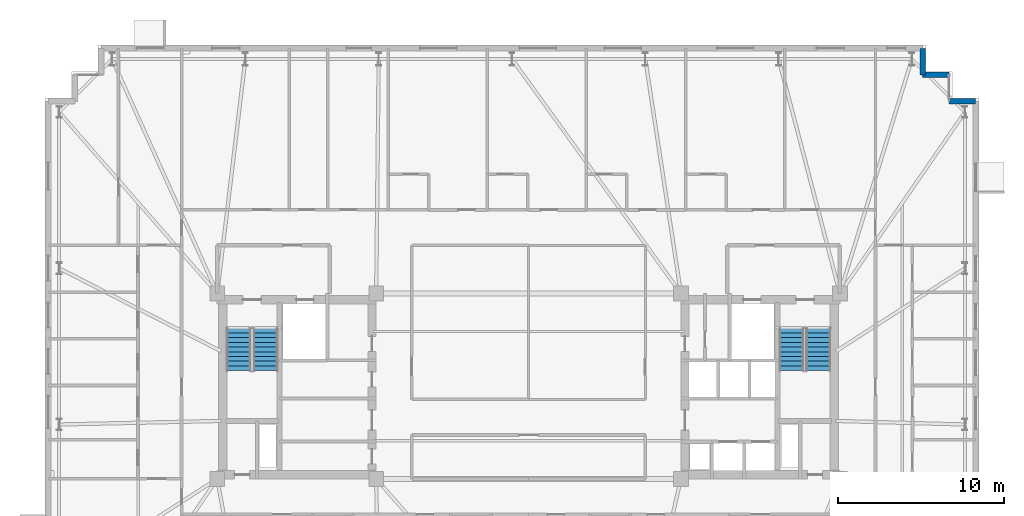
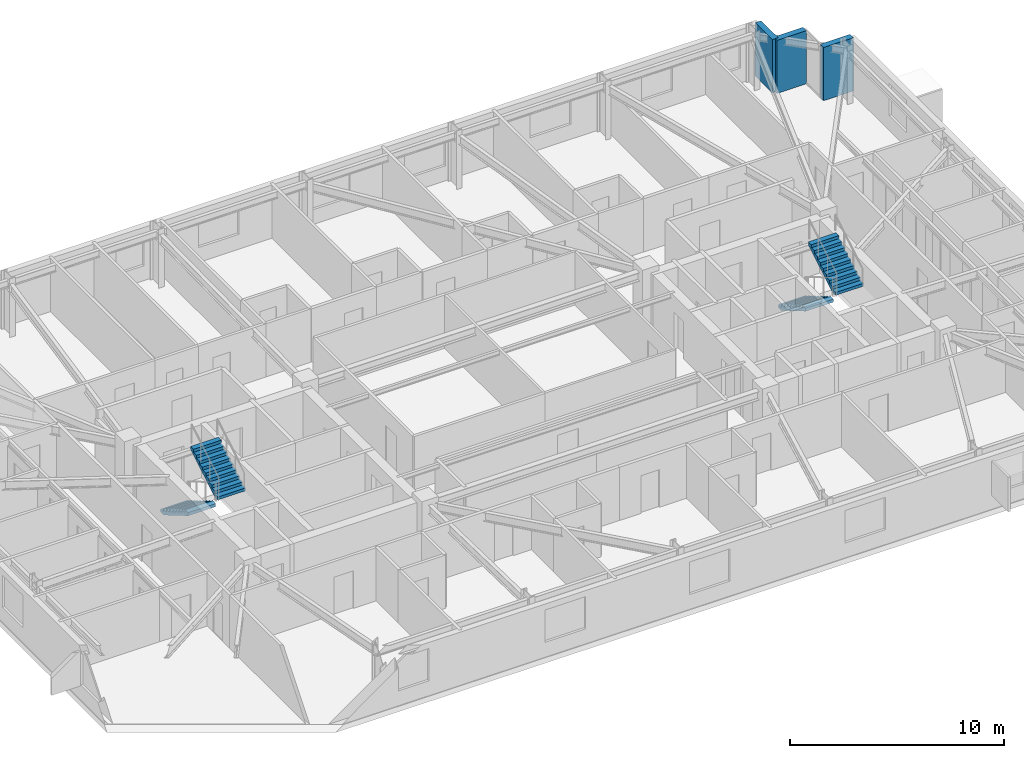
# One storey, part 16 of 19: 4 stair flights, 3 walls, 2 elements without a shape of their own.
"""IFC4 building model written with IfcOpenShell, lengths in metres."""

from ifc_helpers import new_model, si_unit, direction, frame, frame_2d, origin, place, context, subcontext, project, spatial, polyline, rectangle, outline, extrude, material, layer, layer_set, type_object, element, aggregate, save


model = new_model("IFC4")

# Units and contexts
model_context = context("Model", 3, precision=1e-05, world=origin(), true_north=direction((0.0, 1.0)))
body_context = subcontext(model_context, "Body", "Model", "MODEL_VIEW")
ifc_project = project(units=[si_unit("LENGTHUNIT", "METRE"), si_unit("AREAUNIT", "SQUARE_METRE"), si_unit("VOLUMEUNIT", "CUBIC_METRE"), si_unit("PLANEANGLEUNIT", "RADIAN"), si_unit("MASSUNIT", "GRAM", prefix="KILO")], contexts=[model_context])

# Site, building, storey
site_placement = place(None, origin())
site = spatial("IfcSite", under=ifc_project, at=site_placement, CompositionType="ELEMENT")
building_placement = place(site_placement, origin())
building = spatial("IfcBuilding", under=site, at=building_placement, Name="Qobustan Lattice House", CompositionType="ELEMENT")
storey_placement = place(building_placement, frame((0.0, 0.0, 137.699951171875)))
storey = spatial("IfcBuildingStorey", under=building, at=storey_placement, Name="L38", CompositionType="ELEMENT", Elevation=137.699951171875)

# Walls
ifc_material_1 = material(Name="Precast concrete C40/50", Category="concrete")
ifc_layer = layer(ifc_material_1, 0.320068359375)
ifc_layer_set = layer_set([ifc_layer], Name="Precast concrete C40/50")
wall_type = type_object("IfcWallType", Name="WAL-EXT-STONE-320", PredefinedType="SOLIDWALL", material=ifc_layer_set)
for number, where, z_axis, x_axis, name in (
    (1, (23.800048828125, 20.39990234375, 0.0), (0.0, 0.0, 1.0), (0.0, -1.0, 0.0), "L38 exterior limestone-clad wall 11"),
    (2, (23.800048828125, 18.800048828125, 0.0), (0.0, 0.0, 1.0), (1.0, 0.0, 0.0), "L38 exterior limestone-clad wall 12"),
):
    element("IfcWall", number, at=place(storey_placement, frame(where, z_axis=z_axis, x_axis=x_axis)), inside=storey, type_object=wall_type, Name=name, PredefinedType="SOLIDWALL", context=body_context, shape_type="SweptSolid", body=[
        extrude(rectangle(XDim=1.599853515625, YDim=0.320068359375, at=frame_2d((0.7998046875, 0.0))), origin(), (0.0, 0.0, 1.0), 3.0400390625),
    ])
wall_placement = place(storey_placement, frame((25.39990234375, 17.199951171875, 0.0), z_axis=(0.0, 0.0, 1.0), x_axis=(1.0, 0.0, 0.0)))
element("IfcWall", 3, at=wall_placement, inside=storey, type_object=wall_type, Name="L38 exterior limestone-clad wall 14", PredefinedType="SOLIDWALL", context=body_context, shape_type="SweptSolid", body=[
    extrude(rectangle(XDim=1.60009765625, YDim=0.320068359375, at=frame_2d((0.800048828125, 0.0))), origin(), (0.0, 0.0, 1.0), 3.0400390625),
])

# Stair, stair flights
ifc_material_2 = material(Name="Concrete C40/50", Category="concrete")
stair_type = type_object("IfcStairType", Name="STR-CORE-DOGLEG", PredefinedType="HALF_TURN_STAIR", material=ifc_material_2)
stair_1_placement = place(storey_placement, origin())
stair_1 = element("IfcStair", 4, at=stair_1_placement, inside=storey, type_object=stair_type, Name="L38 West protected exit stair ST-W1", PredefinedType="HALF_TURN_STAIR")
ifc_material_3 = material(Name="Concrete C40/50", Category="concrete")
stair_flight_type = type_object("IfcStairFlightType", Name="SFL-RC-1500", PredefinedType="STRAIGHT", material=ifc_material_3)
stair_flight_1_placement = place(storey_placement, frame((-17.5, 3.5, 0.0), z_axis=(0.0, 0.0, 1.0), x_axis=(0.0, -1.0, 0.0)))
stair_flight_1 = element("IfcStairFlight", 5, at=stair_flight_1_placement, type_object=stair_flight_type, Name="ST-W1 flight 1", NumberOfRisers=10, NumberOfTreads=9, PredefinedType="STRAIGHT", RiserHeight=0.1675, TreadLength=0.285, context=body_context, shape_type="SweptSolid", body=[
    extrude(outline(polyline([(0.0, 0.0), (0.0, 0.16748046875), (0.284912109375, 0.16748046875), (0.284912109375, 0.3349609375), (0.570068359375, 0.3349609375), (0.570068359375, 0.50244140625), (0.85498046875, 0.50244140625), (0.85498046875, 0.669921875), (1.139892578125, 0.669921875), (1.139892578125, 0.83740234375), (1.425048828125, 0.83740234375), (1.425048828125, 1.0048828125), (1.7099609375, 1.0048828125), (1.7099609375, 1.172607421875), (1.9951171875, 1.172607421875), (1.9951171875, 1.340087890625), (2.280029296875, 1.340087890625), (2.280029296875, 1.507568359375), (2.56494140625, 1.507568359375), (2.56494140625, 1.675048828125), (2.56494140625, 1.333740234375), (0.2958984375, 0.0), (0.0, 0.0)])), frame((0.0, 0.75, 0.0), z_axis=(0.0, -1.0, 0.0), x_axis=(1.0, 0.0, 0.0)), (0.0, 0.0, 1.0), 1.5),
])
stair_flight_2_placement = place(storey_placement, frame((-15.8798828125, 0.93505859375, 1.675048828125), z_axis=(0.0, 0.0, 1.0), x_axis=(0.0, 1.0, 0.0)))
stair_flight_2 = element("IfcStairFlight", 6, at=stair_flight_2_placement, type_object=stair_flight_type, Name="ST-W1 flight 2", NumberOfRisers=10, NumberOfTreads=9, PredefinedType="STRAIGHT", RiserHeight=0.1675, TreadLength=0.285, context=body_context, shape_type="SweptSolid", body=[
    extrude(outline(polyline([(0.0, 0.0), (0.0, 0.16748046875), (0.284912109375, 0.16748046875), (0.284912109375, 0.3349609375), (0.570068359375, 0.3349609375), (0.570068359375, 0.50244140625), (0.85498046875, 0.50244140625), (0.85498046875, 0.669921875), (1.139892578125, 0.669921875), (1.139892578125, 0.83740234375), (1.425048828125, 0.83740234375), (1.425048828125, 1.0048828125), (1.7099609375, 1.0048828125), (1.7099609375, 1.172607421875), (1.9951171875, 1.172607421875), (1.9951171875, 1.340087890625), (2.280029296875, 1.340087890625), (2.280029296875, 1.507568359375), (2.56494140625, 1.507568359375), (2.56494140625, 1.675048828125), (2.56494140625, 1.333740234375), (0.2958984375, 0.0), (0.0, 0.0)])), frame((0.0, 0.75, 0.0), z_axis=(0.0, -1.0, 0.0), x_axis=(1.0, 0.0, 0.0)), (0.0, 0.0, 1.0), 1.5),
])
aggregate(stair_1, [stair_flight_1, stair_flight_2])

stair_2_placement = place(storey_placement, origin())
stair_2 = element("IfcStair", 7, at=stair_2_placement, inside=storey, type_object=stair_type, Name="L38 East protected exit stair ST-E1", PredefinedType="HALF_TURN_STAIR")
stair_flight_3_placement = place(storey_placement, frame((15.8798828125, 3.5, 0.0), z_axis=(0.0, 0.0, 1.0), x_axis=(0.0, -1.0, 0.0)))
stair_flight_3 = element("IfcStairFlight", 8, at=stair_flight_3_placement, type_object=stair_flight_type, Name="ST-E1 flight 1", NumberOfRisers=10, NumberOfTreads=9, PredefinedType="STRAIGHT", RiserHeight=0.1675, TreadLength=0.285, context=body_context, shape_type="SweptSolid", body=[
    extrude(outline(polyline([(0.0, 0.0), (0.0, 0.16748046875), (0.284912109375, 0.16748046875), (0.284912109375, 0.3349609375), (0.570068359375, 0.3349609375), (0.570068359375, 0.50244140625), (0.85498046875, 0.50244140625), (0.85498046875, 0.669921875), (1.139892578125, 0.669921875), (1.139892578125, 0.83740234375), (1.425048828125, 0.83740234375), (1.425048828125, 1.0048828125), (1.7099609375, 1.0048828125), (1.7099609375, 1.172607421875), (1.9951171875, 1.172607421875), (1.9951171875, 1.340087890625), (2.280029296875, 1.340087890625), (2.280029296875, 1.507568359375), (2.56494140625, 1.507568359375), (2.56494140625, 1.675048828125), (2.56494140625, 1.333740234375), (0.2958984375, 0.0), (0.0, 0.0)])), frame((0.0, 0.75, 0.0), z_axis=(0.0, -1.0, 0.0), x_axis=(1.0, 0.0, 0.0)), (0.0, 0.0, 1.0), 1.5),
])
stair_flight_4_placement = place(storey_placement, frame((17.5, 0.93505859375, 1.675048828125), z_axis=(0.0, 0.0, 1.0), x_axis=(0.0, 1.0, 0.0)))
stair_flight_4 = element("IfcStairFlight", 9, at=stair_flight_4_placement, type_object=stair_flight_type, Name="ST-E1 flight 2", NumberOfRisers=10, NumberOfTreads=9, PredefinedType="STRAIGHT", RiserHeight=0.1675, TreadLength=0.285, context=body_context, shape_type="SweptSolid", body=[
    extrude(outline(polyline([(0.0, 0.0), (0.0, 0.16748046875), (0.284912109375, 0.16748046875), (0.284912109375, 0.3349609375), (0.570068359375, 0.3349609375), (0.570068359375, 0.50244140625), (0.85498046875, 0.50244140625), (0.85498046875, 0.669921875), (1.139892578125, 0.669921875), (1.139892578125, 0.83740234375), (1.425048828125, 0.83740234375), (1.425048828125, 1.0048828125), (1.7099609375, 1.0048828125), (1.7099609375, 1.172607421875), (1.9951171875, 1.172607421875), (1.9951171875, 1.340087890625), (2.280029296875, 1.340087890625), (2.280029296875, 1.507568359375), (2.56494140625, 1.507568359375), (2.56494140625, 1.675048828125), (2.56494140625, 1.333740234375), (0.2958984375, 0.0), (0.0, 0.0)])), frame((0.0, 0.75, 0.0), z_axis=(0.0, -1.0, 0.0), x_axis=(1.0, 0.0, 0.0)), (0.0, 0.0, 1.0), 1.5),
])
aggregate(stair_2, [stair_flight_3, stair_flight_4])

save(model, "model.ifc")
